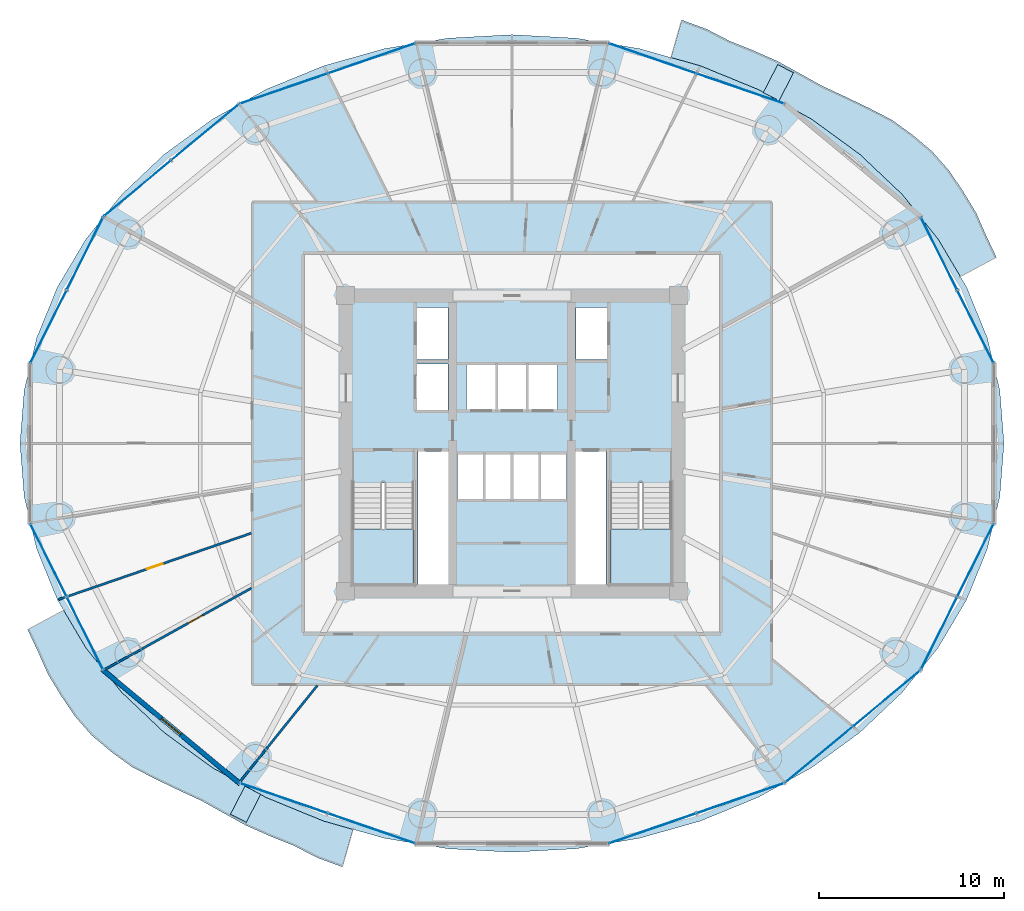
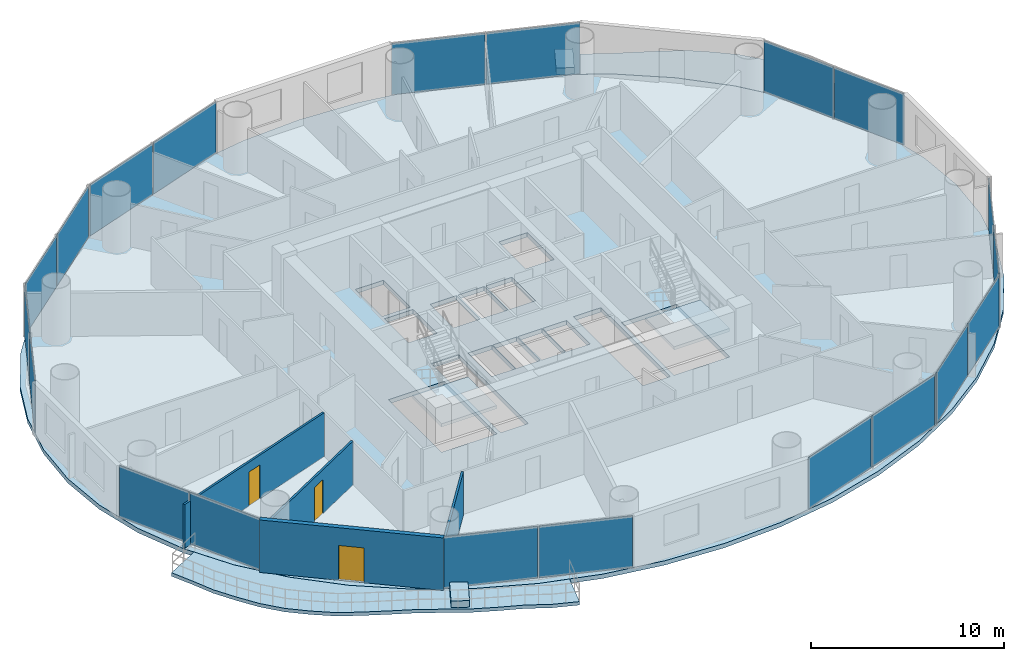
# One storey, part 21 of 29: 20 plates, 7 slabs, 4 walls, 3 doors, 3 openings, 12 elements without a shape of their own.
"""IFC4 building model written with IfcOpenShell, lengths in metres."""

from ifc_helpers import new_model, si_unit, direction, frame, frame_2d, origin, origin_2d, place, context, subcontext, project, spatial, polyline, rectangle, outline, extrude, source, transform, mapped, material, layer, layer_set, type_object, element, fill, aggregate, save


model = new_model("IFC4")

# Units and contexts
model_context = context("Model", 3, precision=1e-05, world=origin(), true_north=direction((-0.2419218956, 0.970295726276)))
body_context = subcontext(model_context, "Body", "Model", "MODEL_VIEW")
ifc_project = project(units=[si_unit("LENGTHUNIT", "METRE"), si_unit("AREAUNIT", "SQUARE_METRE"), si_unit("VOLUMEUNIT", "CUBIC_METRE"), si_unit("PLANEANGLEUNIT", "RADIAN"), si_unit("MASSUNIT", "GRAM", prefix="KILO")], contexts=[model_context])

# Site, building, storey
site_placement = place(None, origin())
site = spatial("IfcSite", under=ifc_project, at=site_placement, CompositionType="ELEMENT")
building_placement = place(site_placement, origin())
building = spatial("IfcBuilding", under=site, at=building_placement, Name="Cobrevalo Terracotta Tower", CompositionType="ELEMENT")
storey_placement = place(building_placement, frame((0.0, 0.0, 97.800048828125)))
storey = spatial("IfcBuildingStorey", under=building, at=storey_placement, Name="L25", CompositionType="ELEMENT", Elevation=97.800048828125)

# Stair, slab
ifc_material_1 = material(Name="Concrete C50", Category="concrete")
stair_type = type_object("IfcStairType", Name="Core protected escape dogleg stair 1600", PredefinedType="HALF_TURN_STAIR", material=ifc_material_1)
stair_1_placement = place(storey_placement, origin())
stair_1 = element("IfcStair", 1, at=stair_1_placement, inside=storey, type_object=stair_type, Name="L25 Protected exit stair ST-1", PredefinedType="HALF_TURN_STAIR")
ifc_layer_1 = layer(ifc_material_1, 0.199951171875)
ifc_layer_set_1 = layer_set([ifc_layer_1], Name="Concrete C50")
slab_type_1 = type_object("IfcSlabType", Name="Reinforced Concrete Stair Landing 200", PredefinedType="LANDING", material=ifc_layer_set_1)
slab_1_placement = place(storey_placement, frame((0.0, 0.0, 1.599853515625)))
slab_1 = element("IfcSlab", 2, at=slab_1_placement, type_object=slab_type_1, Name="ST-1 landing 1", PredefinedType="LANDING", context=body_context, shape_type="SweptSolid", body=[
    extrude(outline(polyline([(29.375, 22.179931640625), (29.375, 19.175048828125), (32.695068359375, 19.175048828125), (32.695068359375, 22.179931640625), (29.375, 22.179931640625)])), origin(), (0.0, 0.0, 1.0), 0.2001953125),
])
aggregate(stair_1, [slab_1])

stair_2_placement = place(storey_placement, origin())
stair_2 = element("IfcStair", 3, at=stair_2_placement, inside=storey, type_object=stair_type, Name="L25 Protected exit stair ST-2", PredefinedType="HALF_TURN_STAIR")
slab_2_placement = place(storey_placement, frame((0.0, 0.0, 1.599853515625)))
slab_2 = element("IfcSlab", 4, at=slab_2_placement, type_object=slab_type_1, Name="ST-2 landing 1", PredefinedType="LANDING", context=body_context, shape_type="SweptSolid", body=[
    extrude(outline(polyline([(43.304931640625, 22.179931640625), (43.304931640625, 19.175048828125), (46.625, 19.175048828125), (46.625, 22.179931640625), (43.304931640625, 22.179931640625)])), origin(), (0.0, 0.0, 1.0), 0.2001953125),
])
aggregate(stair_2, [slab_2])

# Slabs
ifc_material_2 = material(Name="Concrete C45", Category="concrete")
ifc_layer_2 = layer(ifc_material_2, 0.219970703125)
ifc_layer_set_2 = layer_set([ifc_layer_2], Name="Concrete C45")
slab_type_2 = type_object("IfcSlabType", Name="Spiralling cantilevered balcony lobe slab 220 mm", PredefinedType="FLOOR", material=ifc_layer_set_2)
slab_3_placement = place(storey_placement, frame((0.0, 0.0, -0.219970703125)))
element("IfcSlab", 5, at=slab_3_placement, inside=storey, type_object=slab_type_2, Name="L25 spiralling arc balcony slab lobe 1", PredefinedType="FLOOR", context=body_context, shape_type="SweptSolid", body=[
    extrude(outline(polyline([(64.19287109375, 36.858154296875), (63.62939453125, 38.04541015625), (63.093017578125, 39.265625), (62.39111328125, 40.423583984375), (61.62890625, 41.551513671875), (60.7265625, 42.577880859375), (59.66845703125, 43.471923828125), (58.5537109375, 44.28173828125), (57.301025390625, 44.931884765625), (56.041748046875, 45.536376953125), (54.786376953125, 46.117431640625), (53.57763671875, 46.790771484375), (52.367919921875, 47.459716796875), (51.088134765625, 48.024658203125), (49.78564453125, 48.550048828125), (48.521240234375, 49.20068359375), (47.17529296875, 49.694091796875), (46.598388671875, 47.665771484375), (48.18017578125, 47.219482421875), (51.301025390625, 45.94091796875), (54.1943359375, 44.334716796875), (56.810546875, 42.428466796875), (59.104736328125, 40.2548828125), (61.0380859375, 37.85107421875), (62.24853515625, 35.811279296875), (64.19287109375, 36.858154296875)])), origin(), (0.0, 0.0, 1.0), 0.219970703125),
])
slab_4_placement = place(storey_placement, frame((0.0, 0.0, -0.219970703125)))
element("IfcSlab", 6, at=slab_4_placement, inside=storey, type_object=slab_type_2, Name="L25 spiralling arc balcony slab lobe 2", PredefinedType="FLOOR", context=body_context, shape_type="SweptSolid", body=[
    extrude(outline(polyline([(11.80712890625, 16.741943359375), (12.37060546875, 15.5546875), (12.906982421875, 14.33447265625), (13.60888671875, 13.17626953125), (14.37109375, 12.048583984375), (15.2734375, 11.02197265625), (16.33154296875, 10.128173828125), (17.4462890625, 9.318359375), (18.698974609375, 8.668212890625), (19.958251953125, 8.0634765625), (21.213623046875, 7.482421875), (22.42236328125, 6.809326171875), (23.632080078125, 6.140380859375), (24.911865234375, 5.5751953125), (26.21435546875, 5.050048828125), (27.478759765625, 4.3994140625), (28.82470703125, 3.906005859375), (29.401611328125, 5.934326171875), (27.81982421875, 6.38037109375), (24.698974609375, 7.6591796875), (21.8056640625, 9.265380859375), (19.189453125, 11.171630859375), (16.895263671875, 13.34521484375), (14.9619140625, 15.7490234375), (13.75146484375, 17.78857421875), (11.80712890625, 16.741943359375)])), origin(), (0.0, 0.0, 1.0), 0.219970703125),
])
ifc_material_3 = material(Name="Precast concrete C45", Category="concrete")
ifc_layer_3 = layer(ifc_material_3, 0.419921875)
ifc_layer_set_3 = layer_set([ifc_layer_3], Name="Precast concrete C45")
slab_type_3 = type_object("IfcSlabType", Name="Structural tree planter trough base 420 mm", PredefinedType="USERDEFINED", material=ifc_layer_set_3)
slab_5_placement = place(storey_placement, origin())
element("IfcSlab", 7, at=slab_5_placement, inside=storey, type_object=slab_type_3, Name="L25 structural tree planter trough 1", ObjectType="PLANTER", PredefinedType="USERDEFINED", context=body_context, shape_type="SweptSolid", body=[
    extrude(outline(polyline([(52.439697265625, 45.330810546875), (53.21875, 46.841796875), (52.36572265625, 47.28173828125), (51.58642578125, 45.770751953125), (52.439697265625, 45.330810546875)])), origin(), (0.0, 0.0, 1.0), 0.419921875),
])
slab_6_placement = place(storey_placement, origin())
element("IfcSlab", 8, at=slab_6_placement, inside=storey, type_object=slab_type_3, Name="L25 structural tree planter trough 2", ObjectType="PLANTER", PredefinedType="USERDEFINED", context=body_context, shape_type="SweptSolid", body=[
    extrude(outline(polyline([(23.560302734375, 8.26904296875), (22.78125, 6.758056640625), (23.63427734375, 6.318115234375), (24.41357421875, 7.8291015625), (23.560302734375, 8.26904296875)])), origin(), (0.0, 0.0, 1.0), 0.419921875),
])
ifc_layer_4 = layer(ifc_material_1, 0.27490234375)
ifc_layer_set_4 = layer_set([ifc_layer_4], Name="Concrete C50")
slab_type_4 = type_object("IfcSlabType", Name="Zone Z2 elliptical floor plate 275 mm", PredefinedType="FLOOR", material=ifc_layer_set_4)
slab_7_placement = place(storey_placement, frame((0.0, 0.0, -0.275146484375)))
element("IfcSlab", 9, at=slab_7_placement, inside=storey, type_object=slab_type_4, Name="L25 indoor elliptical floor slab", PredefinedType="FLOOR", context=body_context, shape_type="SweptSolid", body=[
    extrude(outline(polyline([(64.372314453125, 23.915283203125), (63.693603515625, 21.080078125), (62.5751953125, 18.3427734375), (61.036376953125, 15.75), (59.103271484375, 13.346435546875), (56.80908203125, 11.1728515625), (54.193115234375, 9.266845703125), (51.300048828125, 7.660888671875), (48.179443359375, 6.38232421875), (44.884521484375, 5.453125), (41.471923828125, 4.88916015625), (38.0, 4.699951171875), (34.528076171875, 4.88916015625), (31.115478515625, 5.453125), (27.820556640625, 6.38232421875), (24.699951171875, 7.660888671875), (21.806884765625, 9.266845703125), (19.19091796875, 11.1728515625), (16.896728515625, 13.346435546875), (14.963623046875, 15.75), (13.4248046875, 18.3427734375), (12.306396484375, 21.080078125), (11.627685546875, 23.915283203125), (11.39990234375, 26.800048828125), (11.627685546875, 29.6845703125), (12.306396484375, 32.52001953125), (13.4248046875, 35.25732421875), (14.963623046875, 37.85009765625), (16.896728515625, 40.253662109375), (19.19091796875, 42.427001953125), (21.806884765625, 44.3330078125), (24.699951171875, 45.939208984375), (27.820556640625, 47.2177734375), (31.115478515625, 48.14697265625), (34.528076171875, 48.7109375), (38.0, 48.89990234375), (41.471923828125, 48.7109375), (44.884521484375, 48.14697265625), (48.179443359375, 47.2177734375), (51.300048828125, 45.939208984375), (54.193115234375, 44.3330078125), (56.80908203125, 42.427001953125), (59.103271484375, 40.253662109375), (61.036376953125, 37.85009765625), (62.5751953125, 35.25732421875), (63.693603515625, 32.52001953125), (64.372314453125, 29.6845703125), (64.60009765625, 26.800048828125), (64.372314453125, 23.915283203125)]), holes=[polyline([(32.695068359375, 19.175048828125), (32.695068359375, 24.659912109375), (29.375, 24.659912109375), (29.375, 19.175048828125), (32.695068359375, 19.175048828125)]), polyline([(34.574951171875, 19.175048828125), (34.574951171875, 26.360107421875), (32.919921875, 26.360107421875), (32.919921875, 19.175048828125), (34.574951171875, 19.175048828125)]), polyline([(36.47998046875, 23.800048828125), (36.47998046875, 26.25), (35.050048828125, 26.25), (35.050048828125, 23.800048828125), (36.47998046875, 23.800048828125)]), polyline([(37.9599609375, 23.800048828125), (37.9599609375, 26.25), (36.530029296875, 26.25), (36.530029296875, 23.800048828125), (37.9599609375, 23.800048828125)]), polyline([(37.1201171875, 28.60009765625), (37.1201171875, 31.050048828125), (35.550048828125, 31.050048828125), (35.550048828125, 28.60009765625), (37.1201171875, 28.60009765625)]), polyline([(34.550048828125, 28.60009765625), (34.550048828125, 31.10009765625), (32.85009765625, 31.10009765625), (32.85009765625, 28.60009765625), (34.550048828125, 28.60009765625)]), polyline([(34.550048828125, 31.35009765625), (34.550048828125, 34.14990234375), (32.85009765625, 34.14990234375), (32.85009765625, 31.35009765625), (34.550048828125, 31.35009765625)]), polyline([(46.625, 19.175048828125), (46.625, 24.659912109375), (43.304931640625, 24.659912109375), (43.304931640625, 19.175048828125), (46.625, 19.175048828125)]), polyline([(43.080078125, 19.175048828125), (43.080078125, 26.360107421875), (41.425048828125, 26.360107421875), (41.425048828125, 19.175048828125), (43.080078125, 19.175048828125)]), polyline([(39.469970703125, 23.800048828125), (39.469970703125, 26.25), (38.0400390625, 26.25), (38.0400390625, 23.800048828125), (39.469970703125, 23.800048828125)]), polyline([(40.949951171875, 23.800048828125), (40.949951171875, 26.25), (39.52001953125, 26.25), (39.52001953125, 23.800048828125), (40.949951171875, 23.800048828125)]), polyline([(38.780029296875, 28.60009765625), (38.780029296875, 31.050048828125), (37.219970703125, 31.050048828125), (37.219970703125, 28.60009765625), (38.780029296875, 28.60009765625)]), polyline([(40.449951171875, 28.60009765625), (40.449951171875, 31.050048828125), (38.8798828125, 31.050048828125), (38.8798828125, 28.60009765625), (40.449951171875, 28.60009765625)]), polyline([(43.14990234375, 31.35009765625), (43.14990234375, 34.14990234375), (41.449951171875, 34.14990234375), (41.449951171875, 31.35009765625), (43.14990234375, 31.35009765625)])]), origin(), (0.0, 0.0, 1.0), 0.275146484375),
])

# Curtain wall, plates
ifc_material_4 = material(Name="Anodized aluminium", Category="aluminium")
curtain_wall_type = type_object("IfcCurtainWallType", Name="Lower-tower unitised acoustic low-E curtain wall CW-U1", PredefinedType="NOTDEFINED", material=ifc_material_4)
curtain_wall_1_placement = place(storey_placement, origin())
curtain_wall_1 = element("IfcCurtainWall", 10, at=curtain_wall_1_placement, inside=storey, type_object=curtain_wall_type, Name="L25 curtain wall CW-L25-S03", PredefinedType="NOTDEFINED")
ifc_material_5 = material(Name="Solar-control low-E double glazing", Category="glass")
ifc_layer_5 = layer(ifc_material_5, 0.028076171875)
ifc_layer_set_5 = layer_set([ifc_layer_5], Name="Solar-control low-E double glazing")
plate_type = type_object("IfcPlateType", Name="Tower solar-control low-E vision glass panel 28 mm", PredefinedType="CURTAIN_PANEL", material=ifc_layer_set_5)
shared_shape_1 = source(origin(), body_context, "Body", "SweptSolid", [
    extrude(rectangle(XDim=4.944580078125, YDim=0.035888671875, at=origin_2d()), origin(), (0.0, 0.0, 1.0), 3.2451171875),
])
plate_1_placement = place(storey_placement, frame((50.34814453125, 45.98095703125, 0.039794921875), z_axis=(0.0, 0.0, 1.0), x_axis=(-0.945596395206, 0.325342062104, 0.0)))
plate_1 = element("IfcPlate", 11, at=plate_1_placement, type_object=plate_type, Name="CW-L25-S03 glazing panel B01", PredefinedType="CURTAIN_PANEL", context=body_context, shape_type="MappedRepresentation", body=[
    mapped(shared_shape_1, transform((0.0, 0.0, 0.0), scale=1.0)),
])
plate_2_placement = place(storey_placement, frame((45.596923828125, 47.615478515625, 0.039794921875), z_axis=(0.0, 0.0, 1.0), x_axis=(-0.945596395206, 0.325342062104, 0.0)))
plate_2 = element("IfcPlate", 12, at=plate_2_placement, type_object=plate_type, Name="CW-L25-S03 glazing panel B02", PredefinedType="CURTAIN_PANEL", context=body_context, shape_type="MappedRepresentation", body=[
    mapped(shared_shape_1, transform((0.0, 0.0, 0.0), scale=1.0)),
])
aggregate(curtain_wall_1, [plate_1, plate_2])

curtain_wall_2_placement = place(storey_placement, origin())
curtain_wall_2 = element("IfcCurtainWall", 13, at=curtain_wall_2_placement, inside=storey, type_object=curtain_wall_type, Name="L25 curtain wall CW-L25-S05", PredefinedType="NOTDEFINED")
plate_3_placement = place(storey_placement, frame((30.403076171875, 47.615478515625, 0.039794921875), z_axis=(0.0, 0.0, 1.0), x_axis=(-0.945596395206, -0.325342062104, 0.0)))
plate_3 = element("IfcPlate", 14, at=plate_3_placement, type_object=plate_type, Name="CW-L25-S05 glazing panel B01", PredefinedType="CURTAIN_PANEL", context=body_context, shape_type="MappedRepresentation", body=[
    mapped(shared_shape_1, transform((0.0, 0.0, 0.0), scale=1.0)),
])
plate_4_placement = place(storey_placement, frame((25.65185546875, 45.98095703125, 0.039794921875), z_axis=(0.0, 0.0, 1.0), x_axis=(-0.945596395206, -0.325342062104, 0.0)))
plate_4 = element("IfcPlate", 15, at=plate_4_placement, type_object=plate_type, Name="CW-L25-S05 glazing panel B02", PredefinedType="CURTAIN_PANEL", context=body_context, shape_type="MappedRepresentation", body=[
    mapped(shared_shape_1, transform((0.0, 0.0, 0.0), scale=1.0)),
])
aggregate(curtain_wall_2, [plate_3, plate_4])

curtain_wall_3_placement = place(storey_placement, origin())
curtain_wall_3 = element("IfcCurtainWall", 16, at=curtain_wall_3_placement, inside=storey, type_object=curtain_wall_type, Name="L25 curtain wall CW-L25-S11", PredefinedType="NOTDEFINED")
plate_5_placement = place(storey_placement, frame((25.65185546875, 7.619140625, 0.039794921875), z_axis=(0.0, 0.0, 1.0), x_axis=(0.945596395206, -0.325342062104, 0.0)))
plate_5 = element("IfcPlate", 17, at=plate_5_placement, type_object=plate_type, Name="CW-L25-S11 glazing panel B01", PredefinedType="CURTAIN_PANEL", context=body_context, shape_type="MappedRepresentation", body=[
    mapped(shared_shape_1, transform((0.0, 0.0, 0.0), scale=1.0)),
])
plate_6_placement = place(storey_placement, frame((30.403076171875, 5.984375, 0.039794921875), z_axis=(0.0, 0.0, 1.0), x_axis=(0.945596395206, -0.325342062104, 0.0)))
plate_6 = element("IfcPlate", 18, at=plate_6_placement, type_object=plate_type, Name="CW-L25-S11 glazing panel B02", PredefinedType="CURTAIN_PANEL", context=body_context, shape_type="MappedRepresentation", body=[
    mapped(shared_shape_1, transform((0.0, 0.0, 0.0), scale=1.0)),
])
aggregate(curtain_wall_3, [plate_5, plate_6])

curtain_wall_4_placement = place(storey_placement, origin())
curtain_wall_4 = element("IfcCurtainWall", 19, at=curtain_wall_4_placement, inside=storey, type_object=curtain_wall_type, Name="L25 curtain wall CW-L25-S13", PredefinedType="NOTDEFINED")
plate_7_placement = place(storey_placement, frame((45.596923828125, 5.984375, 0.039794921875), z_axis=(0.0, 0.0, 1.0), x_axis=(0.945596395206, 0.325342062104, 0.0)))
plate_7 = element("IfcPlate", 20, at=plate_7_placement, type_object=plate_type, Name="CW-L25-S13 glazing panel B01", PredefinedType="CURTAIN_PANEL", context=body_context, shape_type="MappedRepresentation", body=[
    mapped(shared_shape_1, transform((0.0, 0.0, 0.0), scale=1.0)),
])
plate_8_placement = place(storey_placement, frame((50.34814453125, 7.619140625, 0.039794921875), z_axis=(0.0, 0.0, 1.0), x_axis=(0.945596395206, 0.325342062104, 0.0)))
plate_8 = element("IfcPlate", 21, at=plate_8_placement, type_object=plate_type, Name="CW-L25-S13 glazing panel B02", PredefinedType="CURTAIN_PANEL", context=body_context, shape_type="MappedRepresentation", body=[
    mapped(shared_shape_1, transform((0.0, 0.0, 0.0), scale=1.0)),
])
aggregate(curtain_wall_4, [plate_7, plate_8])

curtain_wall_5_placement = place(storey_placement, origin())
curtain_wall_5 = element("IfcCurtainWall", 22, at=curtain_wall_5_placement, inside=storey, type_object=curtain_wall_type, Name="L25 curtain wall CW-L25-S06", PredefinedType="NOTDEFINED")
shared_shape_2 = source(origin(), body_context, "Body", "SweptSolid", [
    extrude(rectangle(XDim=4.64501953125, YDim=0.035888671875, at=origin_2d()), origin(), (0.0, 0.0, 1.0), 3.2451171875),
])
plate_9_placement = place(storey_placement, frame((21.390380859375, 43.615478515625, 0.039794921875), z_axis=(0.0, 0.0, 1.0), x_axis=(-0.769241221277, -0.638958483384, 0.0)))
plate_9 = element("IfcPlate", 23, at=plate_9_placement, type_object=plate_type, Name="CW-L25-S06 glazing panel B01", PredefinedType="CURTAIN_PANEL", context=body_context, shape_type="MappedRepresentation", body=[
    mapped(shared_shape_2, transform((0.0, 0.0, 0.0), scale=1.0)),
])
plate_10_placement = place(storey_placement, frame((17.755859375, 40.596435546875, 0.039794921875), z_axis=(0.0, 0.0, 1.0), x_axis=(-0.769241221277, -0.638958483384, 0.0)))
plate_10 = element("IfcPlate", 24, at=plate_10_placement, type_object=plate_type, Name="CW-L25-S06 glazing panel B02", PredefinedType="CURTAIN_PANEL", context=body_context, shape_type="MappedRepresentation", body=[
    mapped(shared_shape_2, transform((0.0, 0.0, 0.0), scale=1.0)),
])
aggregate(curtain_wall_5, [plate_9, plate_10])

curtain_wall_6_placement = place(storey_placement, origin())
curtain_wall_6 = element("IfcCurtainWall", 25, at=curtain_wall_6_placement, inside=storey, type_object=curtain_wall_type, Name="L25 curtain wall CW-L25-S14", PredefinedType="NOTDEFINED")
plate_11_placement = place(storey_placement, frame((54.609619140625, 9.984619140625, 0.039794921875), z_axis=(0.0, 0.0, 1.0), x_axis=(0.769241221277, 0.638958483384, 0.0)))
plate_11 = element("IfcPlate", 26, at=plate_11_placement, type_object=plate_type, Name="CW-L25-S14 glazing panel B01", PredefinedType="CURTAIN_PANEL", context=body_context, shape_type="MappedRepresentation", body=[
    mapped(shared_shape_2, transform((0.0, 0.0, 0.0), scale=1.0)),
])
plate_12_placement = place(storey_placement, frame((58.244140625, 13.00341796875, 0.039794921875), z_axis=(0.0, 0.0, 1.0), x_axis=(0.769241221277, 0.638958483384, 0.0)))
plate_12 = element("IfcPlate", 27, at=plate_12_placement, type_object=plate_type, Name="CW-L25-S14 glazing panel B02", PredefinedType="CURTAIN_PANEL", context=body_context, shape_type="MappedRepresentation", body=[
    mapped(shared_shape_2, transform((0.0, 0.0, 0.0), scale=1.0)),
])
aggregate(curtain_wall_6, [plate_11, plate_12])

curtain_wall_7_placement = place(storey_placement, origin())
curtain_wall_7 = element("IfcCurtainWall", 28, at=curtain_wall_7_placement, inside=storey, type_object=curtain_wall_type, Name="L25 curtain wall CW-L25-S01", PredefinedType="NOTDEFINED")
shared_shape_3 = source(origin(), body_context, "Body", "SweptSolid", [
    extrude(rectangle(XDim=4.3251953125, YDim=0.035888671875, at=origin_2d()), origin(), (0.0, 0.0, 1.0), 3.2451171875),
])
plate_13_placement = place(storey_placement, frame((63.05859375, 33.112548828125, 0.039794921875), z_axis=(0.0, 0.0, 1.0), x_axis=(-0.446261852127, 0.894902430065, 0.0)))
plate_13 = element("IfcPlate", 29, at=plate_13_placement, type_object=plate_type, Name="CW-L25-S01 glazing panel B01", PredefinedType="CURTAIN_PANEL", context=body_context, shape_type="MappedRepresentation", body=[
    mapped(shared_shape_3, transform((0.0, 0.0, 0.0), scale=1.0)),
])
plate_14_placement = place(storey_placement, frame((61.093017578125, 37.0546875, 0.039794921875), z_axis=(0.0, 0.0, 1.0), x_axis=(-0.446261852127, 0.894902430065, 0.0)))
plate_14 = element("IfcPlate", 30, at=plate_14_placement, type_object=plate_type, Name="CW-L25-S01 glazing panel B02", PredefinedType="CURTAIN_PANEL", context=body_context, shape_type="MappedRepresentation", body=[
    mapped(shared_shape_3, transform((0.0, 0.0, 0.0), scale=1.0)),
])
aggregate(curtain_wall_7, [plate_13, plate_14])

curtain_wall_8_placement = place(storey_placement, origin())
curtain_wall_8 = element("IfcCurtainWall", 31, at=curtain_wall_8_placement, inside=storey, type_object=curtain_wall_type, Name="L25 curtain wall CW-L25-S07", PredefinedType="NOTDEFINED")
plate_15_placement = place(storey_placement, frame((14.906982421875, 37.0546875, 0.039794921875), z_axis=(0.0, 0.0, 1.0), x_axis=(-0.446261852127, -0.894902430065, 0.0)))
plate_15 = element("IfcPlate", 32, at=plate_15_placement, type_object=plate_type, Name="CW-L25-S07 glazing panel B01", PredefinedType="CURTAIN_PANEL", context=body_context, shape_type="MappedRepresentation", body=[
    mapped(shared_shape_3, transform((0.0, 0.0, 0.0), scale=1.0)),
])
plate_16_placement = place(storey_placement, frame((12.94140625, 33.112548828125, 0.039794921875), z_axis=(0.0, 0.0, 1.0), x_axis=(-0.446261852127, -0.894902430065, 0.0)))
plate_16 = element("IfcPlate", 33, at=plate_16_placement, type_object=plate_type, Name="CW-L25-S07 glazing panel B02", PredefinedType="CURTAIN_PANEL", context=body_context, shape_type="MappedRepresentation", body=[
    mapped(shared_shape_3, transform((0.0, 0.0, 0.0), scale=1.0)),
])
aggregate(curtain_wall_8, [plate_15, plate_16])

curtain_wall_9_placement = place(storey_placement, origin())
curtain_wall_9 = element("IfcCurtainWall", 34, at=curtain_wall_9_placement, inside=storey, type_object=curtain_wall_type, Name="L25 curtain wall CW-L25-S09", PredefinedType="NOTDEFINED")
plate_17_placement = place(storey_placement, frame((12.94140625, 20.487548828125, 0.039794921875), z_axis=(0.0, 0.0, 1.0), x_axis=(0.446261852127, -0.894902430065, 0.0)))
plate_17 = element("IfcPlate", 35, at=plate_17_placement, type_object=plate_type, Name="CW-L25-S09 glazing panel B01", PredefinedType="CURTAIN_PANEL", context=body_context, shape_type="MappedRepresentation", body=[
    mapped(shared_shape_3, transform((0.0, 0.0, 0.0), scale=1.0)),
])
plate_18_placement = place(storey_placement, frame((14.906982421875, 16.54541015625, 0.039794921875), z_axis=(0.0, 0.0, 1.0), x_axis=(0.446261852127, -0.894902430065, 0.0)))
plate_18 = element("IfcPlate", 36, at=plate_18_placement, type_object=plate_type, Name="CW-L25-S09 glazing panel B02", PredefinedType="CURTAIN_PANEL", context=body_context, shape_type="MappedRepresentation", body=[
    mapped(shared_shape_3, transform((0.0, 0.0, 0.0), scale=1.0)),
])
aggregate(curtain_wall_9, [plate_17, plate_18])

curtain_wall_10_placement = place(storey_placement, origin())
curtain_wall_10 = element("IfcCurtainWall", 37, at=curtain_wall_10_placement, inside=storey, type_object=curtain_wall_type, Name="L25 curtain wall CW-L25-S15", PredefinedType="NOTDEFINED")
plate_19_placement = place(storey_placement, frame((61.093017578125, 16.54541015625, 0.039794921875), z_axis=(0.0, 0.0, 1.0), x_axis=(0.446261852127, 0.894902430065, 0.0)))
plate_19 = element("IfcPlate", 38, at=plate_19_placement, type_object=plate_type, Name="CW-L25-S15 glazing panel B01", PredefinedType="CURTAIN_PANEL", context=body_context, shape_type="MappedRepresentation", body=[
    mapped(shared_shape_3, transform((0.0, 0.0, 0.0), scale=1.0)),
])
plate_20_placement = place(storey_placement, frame((63.05859375, 20.487548828125, 0.039794921875), z_axis=(0.0, 0.0, 1.0), x_axis=(0.446261852127, 0.894902430065, 0.0)))
plate_20 = element("IfcPlate", 39, at=plate_20_placement, type_object=plate_type, Name="CW-L25-S15 glazing panel B02", PredefinedType="CURTAIN_PANEL", context=body_context, shape_type="MappedRepresentation", body=[
    mapped(shared_shape_3, transform((0.0, 0.0, 0.0), scale=1.0)),
])
aggregate(curtain_wall_10, [plate_19, plate_20])

# Wall, opening, door
ifc_material_6 = material(Name="Autoclaved aerated concrete block", Category="concrete")
ifc_layer_6 = layer(ifc_material_6, 0.260009765625)
ifc_layer_set_6 = layer_set([ifc_layer_6], Name="Autoclaved aerated concrete block")
wall_type_1 = type_object("IfcWallType", Name="Recessed balcony loggia insulated exterior wall 260 mm", PredefinedType="SOLIDWALL", material=ifc_layer_set_6)
wall_1_placement = place(storey_placement, frame((15.84619140625, 14.589599609375, 0.0), z_axis=(0.0, 0.0, 1.0), x_axis=(0.769254958887, -0.638941944333, 0.0)))
wall_1 = element("IfcWall", 40, at=wall_1_placement, inside=storey, type_object=wall_type_1, Name="L25 balcony loggia wall S10", PredefinedType="SOLIDWALL", context=body_context, shape_type="SweptSolid", body=[
    extrude(rectangle(XDim=9.689697265625, YDim=0.260009765625, at=frame_2d((4.8447265625, 0.0))), origin(), (0.0, 0.0, 1.0), 3.324951171875),
])
opening_1_placement = place(wall_1_placement, frame((4.169921875, 0.0, 0.0)))
opening_1 = element("IfcOpeningElement", 41, at=opening_1_placement, cuts=wall_1, Name="Opening ED-05", PredefinedType="OPENING", context=body_context, shape_type="SweptSolid", body=[
    extrude(rectangle(XDim=1.35009765625, YDim=2.199951171875, at=frame_2d((0.675048828125, 1.10009765625))), frame((0.0, 0.14013671875, 0.0), z_axis=(0.0, -1.0, 0.0), x_axis=(1.0, 0.0, 0.0)), (0.0, 0.0, 1.0), 0.280029296875),
])
ifc_material_7 = material(Name="Anodized aluminium and laminated glass", Category="aluminium")
door_type_1 = type_object("IfcDoorType", Name="Suite balcony acoustic glazed terrace door 1350x2200", OperationType="NOTDEFINED", PredefinedType="DOOR", material=ifc_material_7)
shared_shape_4 = source(origin(), body_context, "Body", "SweptSolid", [
    extrude(rectangle(XDim=1.35009765625, YDim=2.199951171875, at=frame_2d((0.675048828125, 1.10009765625))), frame((0.0, 0.02490234375, 0.0), z_axis=(0.0, -1.0, 0.0), x_axis=(1.0, 0.0, 0.0)), (0.0, 0.0, 1.0), 0.050048828125),
])
door_1_placement = place(opening_1_placement, frame((1.35009765625, 0.0, 0.0), z_axis=(0.0, 0.0, 1.0), x_axis=(-1.0, 0.0, 0.0)))
door_1 = element("IfcDoor", 42, at=door_1_placement, inside=storey, type_object=door_type_1, Name="L25 glazed balcony terrace door 2", OperationType="SINGLE_SWING_RIGHT", OverallHeight=2.199951171875, OverallWidth=1.35009765625, PredefinedType="DOOR", context=body_context, shape_type="MappedRepresentation", body=[
    mapped(shared_shape_4, transform((0.0, 0.0, 0.0), scale=1.0)),
])
fill(opening_1, door_1)

ifc_material_8 = material(Name="Gypsum board on steel stud", Category="steel")
ifc_layer_7 = layer(ifc_material_8, 0.1201171875)
ifc_layer_set_7 = layer_set([ifc_layer_7], Name="Gypsum board on steel stud")
wall_type_2 = type_object("IfcWallType", Name="Residential internal acoustic stud partition 120 mm", PredefinedType="PARTITIONING", material=ifc_layer_set_7)
wall_2_placement = place(storey_placement, frame((23.90625, 21.94970703125, 0.0), z_axis=(0.0, 0.0, 1.0), x_axis=(-0.945573120726, -0.32540970078, 0.0)))
wall_2 = element("IfcWall", 43, at=wall_2_placement, inside=storey, type_object=wall_type_2, Name="L25 interior partition IW-L25-U2-ORAD2M2", PredefinedType="PARTITIONING", context=body_context, shape_type="SweptSolid", body=[
    extrude(rectangle(XDim=11.02197265625, YDim=0.1201171875, at=frame_2d((5.510986328125, 0.0))), origin(), (0.0, 0.0, 1.0), 2.766845703125),
])
opening_2_placement = place(wall_2_placement, frame((5.06103515625, 0.0, 0.0)))
opening_2 = element("IfcOpeningElement", 44, at=opening_2_placement, cuts=wall_2, Name="Opening ID-12", PredefinedType="OPENING", context=body_context, shape_type="SweptSolid", body=[
    extrude(rectangle(XDim=0.89990234375, YDim=2.14990234375, at=frame_2d((0.449951171875, 1.074951171875))), frame((0.0, 0.070068359375, 0.0), z_axis=(0.0, -1.0, 0.0), x_axis=(1.0, 0.0, 0.0)), (0.0, 0.0, 1.0), 0.14013671875),
])
ifc_material_9 = material(Name="Engineered timber", Category="wood")
door_type_2 = type_object("IfcDoorType", Name="Internal residence & suite timber door 900x2150", OperationType="NOTDEFINED", PredefinedType="DOOR", material=ifc_material_9)
shared_shape_5 = source(origin(), body_context, "Body", "SweptSolid", [
    extrude(rectangle(XDim=0.89990234375, YDim=2.14990234375, at=frame_2d((0.449951171875, 1.074951171875))), frame((0.0, 0.02490234375, 0.0), z_axis=(0.0, -1.0, 0.0), x_axis=(1.0, 0.0, 0.0)), (0.0, 0.0, 1.0), 0.050048828125),
])
door_2_placement = place(opening_2_placement, frame((0.89990234375, 0.0, 0.0), z_axis=(0.0, 0.0, 1.0), x_axis=(-1.0, 0.0, 0.0)))
door_2 = element("IfcDoor", 45, at=door_2_placement, inside=storey, type_object=door_type_2, Name="Flat L25B Principal Guest Bedroom internal door", OperationType="SINGLE_SWING_RIGHT", OverallHeight=2.14990234375, OverallWidth=0.89990234375, PredefinedType="DOOR", context=body_context, shape_type="MappedRepresentation", body=[
    mapped(shared_shape_5, transform((0.0, 0.0, 0.0), scale=1.0)),
])
fill(opening_2, door_2)

wall_3_placement = place(storey_placement, frame((23.910888671875, 18.978515625, 0.0), z_axis=(0.0, 0.0, 1.0), x_axis=(-0.874313476423, -0.485361664066, 0.0)))
wall_3 = element("IfcWall", 46, at=wall_3_placement, inside=storey, type_object=wall_type_2, Name="L25 interior partition IW-L25-U2-ORAD2", PredefinedType="PARTITIONING", context=body_context, shape_type="SweptSolid", body=[
    extrude(rectangle(XDim=9.065673828125, YDim=0.1201171875, at=frame_2d((4.53271484375, 0.0))), origin(), (0.0, 0.0, 1.0), 2.766845703125),
])
opening_3_placement = place(wall_3_placement, frame((3.015625, 0.0, 0.0)))
opening_3 = element("IfcOpeningElement", 47, at=opening_3_placement, cuts=wall_3, Name="Opening ID-12", PredefinedType="OPENING", context=body_context, shape_type="SweptSolid", body=[
    extrude(rectangle(XDim=0.89990234375, YDim=2.14990234375, at=frame_2d((0.449951171875, 1.074951171875))), frame((0.0, 0.070068359375, 0.0), z_axis=(0.0, -1.0, 0.0), x_axis=(1.0, 0.0, 0.0)), (0.0, 0.0, 1.0), 0.14013671875),
])
door_3_placement = place(opening_3_placement, frame((0.89990234375, 0.0, 0.0), z_axis=(0.0, 0.0, 1.0), x_axis=(-1.0, 0.0, 0.0)))
door_3 = element("IfcDoor", 48, at=door_3_placement, inside=storey, type_object=door_type_2, Name="Flat L25B North Bedroom internal door", OperationType="SINGLE_SWING_LEFT", OverallHeight=2.14990234375, OverallWidth=0.89990234375, PredefinedType="DOOR", context=body_context, shape_type="MappedRepresentation", body=[
    mapped(shared_shape_5, transform((0.0, 0.0, 0.0), scale=1.0)),
])
fill(opening_3, door_3)

# Wall
wall_4_placement = place(storey_placement, frame((27.47802734375, 13.716796875, 0.0), z_axis=(0.0, 0.0, 1.0), x_axis=(-0.626707979732, -0.77925419995, 0.0)))
element("IfcWall", 49, at=wall_4_placement, inside=storey, type_object=wall_type_2, Name="L25 interior partition IW-L25-U2-ORAD3", PredefinedType="PARTITIONING", context=body_context, shape_type="SweptSolid", body=[
    extrude(rectangle(XDim=6.6787109375, YDim=0.1201171875, at=frame_2d((3.33935546875, 0.0))), origin(), (0.0, 0.0, 1.0), 2.766845703125),
])

save(model, "model.ifc")
